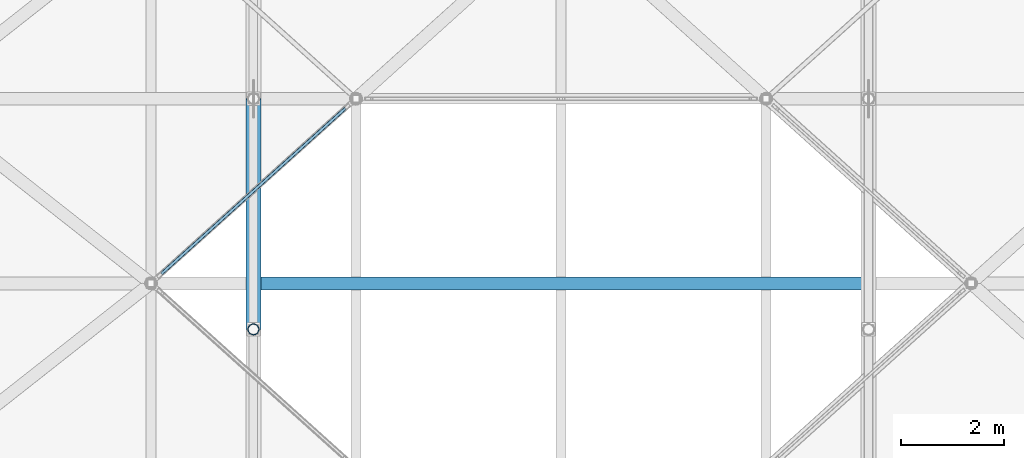
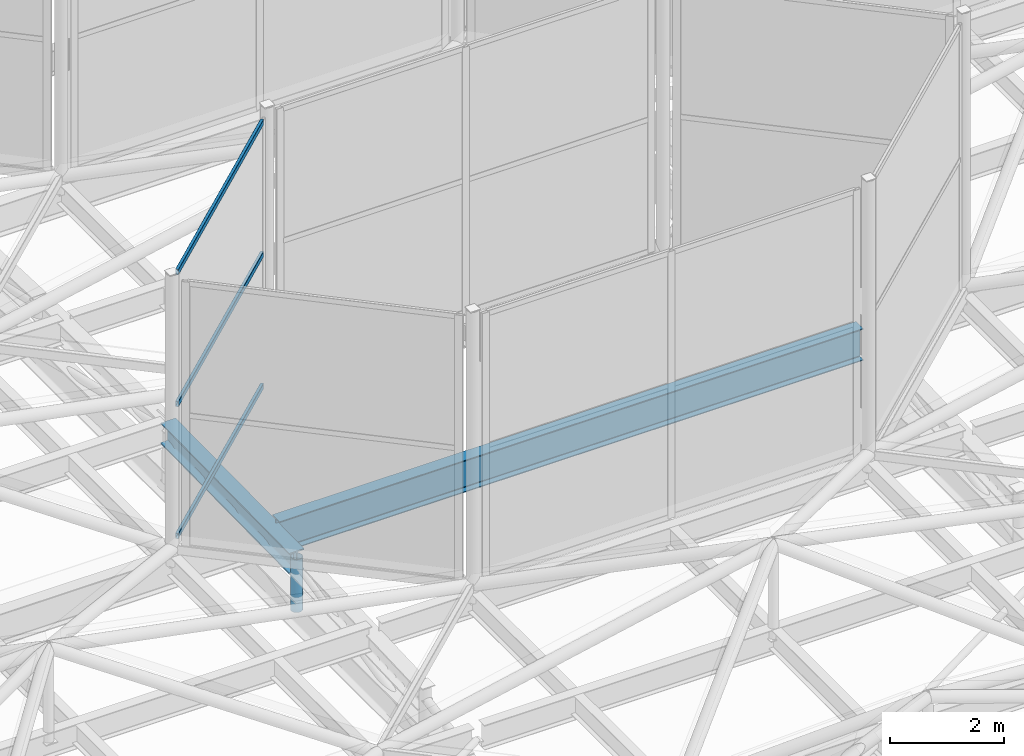
# One storey, part 58 of 239: 4 members, 2 beams, 1 element without a shape of its own.
"""IFC4 building model written with IfcOpenShell, lengths in metres."""

from ifc_helpers import new_model, si_unit, direction, frame, origin, origin_2d, place, context, subcontext, project, spatial, hollow_rectangle, hollow_circle, i_section, extrude, material, layer, layer_set, material_profile, profile_set, type_object, element, aggregate, save


model = new_model("IFC4")

# Units and contexts
model_context = context("Model", 3, precision=1e-05, world=origin(), true_north=direction((0.0, 1.0)))
body_context = subcontext(model_context, "Body", "Model", "MODEL_VIEW")
ifc_project = project(units=[si_unit("LENGTHUNIT", "METRE"), si_unit("AREAUNIT", "SQUARE_METRE"), si_unit("VOLUMEUNIT", "CUBIC_METRE"), si_unit("PLANEANGLEUNIT", "RADIAN"), si_unit("MASSUNIT", "GRAM", prefix="KILO")], contexts=[model_context])

# Site, building, storey
site_placement = place(None, origin())
site = spatial("IfcSite", under=ifc_project, at=site_placement, CompositionType="ELEMENT")
building_placement = place(site_placement, origin())
building = spatial("IfcBuilding", under=site, at=building_placement, Name="Dunvalen Ferry Terminal", CompositionType="ELEMENT")
storey_placement = place(building_placement, frame((0.0, 0.0, 9.840087890625)))
storey = spatial("IfcBuildingStorey", under=building, at=storey_placement, Name="L02", CompositionType="ELEMENT", Elevation=9.840087890625)

# Curtain wall, members
ifc_material_1 = material(Name="Anodised marine aluminium and solar-control glazing", Category="aluminium")
ifc_layer = layer(ifc_material_1, 0.179931640625, Name="Anodised marine aluminium and solar-control glazing")
ifc_layer_set = layer_set([ifc_layer], Name="Anodised marine aluminium and solar-control glazing")
curtain_wall_type = type_object("IfcCurtainWallType", Name="ENV-CW-SYS-06", PredefinedType="NOTDEFINED", material=ifc_layer_set)
curtain_wall_placement = place(storey_placement, origin())
curtain_wall = element("IfcCurtainWall", 1, at=curtain_wall_placement, inside=storey, type_object=curtain_wall_type, Name="L02 Curtain Wall CW-HEX-14-SK-6", PredefinedType="NOTDEFINED")
ifc_material_2 = material(Name="Anodised marine aluminium EN AW-6063 T6", Category="aluminium")
ifc_material_profile_1 = material_profile(ifc_material_2, hollow_rectangle(XDim=0.06005859375, YDim=0.114990234375, WallThickness=0.0029296875, InnerFilletRadius=0.0029296875, OuterFilletRadius=0.006103515625, at=origin_2d()), Name="Anodised marine aluminium EN AW-6063 T6")
ifc_profile_set_1 = profile_set([ifc_material_profile_1], Name="Anodised marine aluminium EN AW-6063 T6")
member_type_1 = type_object("IfcMemberType", Name="ENV-CW-TRN-3", PredefinedType="USERDEFINED", material=ifc_profile_set_1)
member_1_placement = place(storey_placement, frame((25.7919921875, 68.212646484375, 1.169921875), z_axis=(-0.743319323261, -0.668936756104, 0.0), x_axis=(0.668936756104, -0.743319323261, 0.0)))
member_1 = element("IfcMember", 2, at=member_1_placement, type_object=member_type_1, Name="CW-06 transom 1.1", ObjectType="TRANSOM", PredefinedType="USERDEFINED", context=body_context, shape_type="SweptSolid", body=[
    extrude(hollow_rectangle(XDim=0.06005859375, YDim=0.114990234375, WallThickness=0.0029296875, InnerFilletRadius=0.0029296875, OuterFilletRadius=0.006103515625, at=origin_2d()), origin(), (0.0, 0.0, 1.0), 4.821533203125),
])
member_2_placement = place(storey_placement, frame((25.7919921875, 68.212646484375, 3.989990234375), z_axis=(-0.743319323261, -0.668936756104, 0.0), x_axis=(0.668936756104, -0.743319323261, 0.0)))
member_2 = element("IfcMember", 3, at=member_2_placement, type_object=member_type_1, Name="CW-06 transom 1.2", ObjectType="TRANSOM", PredefinedType="USERDEFINED", context=body_context, shape_type="SweptSolid", body=[
    extrude(hollow_rectangle(XDim=0.06005859375, YDim=0.114990234375, WallThickness=0.0029296875, InnerFilletRadius=0.0029296875, OuterFilletRadius=0.006103515625, at=origin_2d()), origin(), (0.0, 0.0, 1.0), 4.821533203125),
])
member_3_placement = place(storey_placement, frame((25.7919921875, 68.212646484375, 6.809814453125), z_axis=(-0.743319323261, -0.668936756104, 0.0), x_axis=(0.668936756104, -0.743319323261, 0.0)))
member_3 = element("IfcMember", 4, at=member_3_placement, type_object=member_type_1, Name="CW-06 transom 1.3", ObjectType="TRANSOM", PredefinedType="USERDEFINED", context=body_context, shape_type="SweptSolid", body=[
    extrude(hollow_rectangle(XDim=0.06005859375, YDim=0.114990234375, WallThickness=0.0029296875, InnerFilletRadius=0.0029296875, OuterFilletRadius=0.006103515625, at=origin_2d()), origin(), (0.0, 0.0, 1.0), 4.821533203125),
])
aggregate(curtain_wall, [member_1, member_2, member_3])

# Beams
ifc_material_3 = material(Name="Steel S355", Category="steel")
ifc_material_profile_2 = material_profile(ifc_material_3, i_section(OverallWidth=0.300048828125, OverallDepth=0.449951171875, WebThickness=0.013916015625, FlangeThickness=0.02587890625, FilletRadius=0.027099609375, at=origin_2d()), Name="Steel S355")
ifc_profile_set_2 = profile_set([ifc_material_profile_2], Name="Steel S355")
beam_type_1 = type_object("IfcBeamType", Name="STR-BM-HEB450", PredefinedType="BEAM", material=ifc_profile_set_2)
beam_1_placement = place(storey_placement, frame((24.0, 63.89990234375, 0.65869140625), z_axis=(0.0, 0.999907293085, 0.01361635908), x_axis=(-1.0, 0.0, 0.0)))
element("IfcBeam", 5, at=beam_1_placement, inside=storey, type_object=beam_type_1, Name="Departure Hall Tied-Arch Rib 02.4", PredefinedType="BEAM", context=body_context, shape_type="SweptSolid", body=[
    extrude(i_section(OverallWidth=0.300048828125, OverallDepth=0.449951171875, WebThickness=0.013916015625, FlangeThickness=0.02587890625, FilletRadius=0.027099609375, at=origin_2d()), origin(), (0.0, 0.0, 1.0), 4.50048828125),
])
ifc_material_profile_3 = material_profile(ifc_material_3, i_section(OverallWidth=0.253662109375, OverallDepth=0.68359375, WebThickness=0.012451171875, FlangeThickness=0.01904296875, FilletRadius=0.01513671875, at=origin_2d()), Name="Steel S355")
ifc_profile_set_3 = profile_set([ifc_material_profile_3], Name="Steel S355")
beam_type_2 = type_object("IfcBeamType", Name="STR-BM-UKB686", PredefinedType="BEAM", material=ifc_profile_set_3)
beam_2_placement = place(storey_placement, frame((24.10009765625, 64.800048828125, 0.658203125), z_axis=(1.0, 0.0, 0.0), x_axis=(0.0, 1.0, 0.0)))
element("IfcBeam", 6, at=beam_2_placement, inside=storey, type_object=beam_type_2, Name="Departure Hall Spine Girder B2.05", PredefinedType="BEAM", context=body_context, shape_type="SweptSolid", body=[
    extrude(i_section(OverallWidth=0.253662109375, OverallDepth=0.68359375, WebThickness=0.012451171875, FlangeThickness=0.01904296875, FilletRadius=0.01513671875, at=origin_2d()), origin(), (0.0, 0.0, 1.0), 11.7998046875),
])

# Member
ifc_material_profile_4 = material_profile(ifc_material_3, hollow_circle(Radius=0.109619140625, WallThickness=0.010009765625, at=origin_2d()), Name="Steel S355")
ifc_profile_set_4 = profile_set([ifc_material_profile_4], Name="Steel S355")
member_type_2 = type_object("IfcMemberType", Name="STR-MB-CHS219", PredefinedType="STRUT", material=ifc_profile_set_4)
member_4_placement = place(storey_placement, frame((24.0, 63.89990234375, -0.360107421875), z_axis=(0.0, 0.0, 1.0), x_axis=(1.0, 0.0, 0.0)))
element("IfcMember", 7, at=member_4_placement, inside=storey, type_object=member_type_2, Name="Departure Hall Arch Spandrel Strut 02.3", PredefinedType="STRUT", context=body_context, shape_type="SweptSolid", body=[
    extrude(hollow_circle(Radius=0.109619140625, WallThickness=0.010009765625, at=origin_2d()), origin(), (0.0, 0.0, 1.0), 1.130126953125),
])

save(model, "model.ifc")
